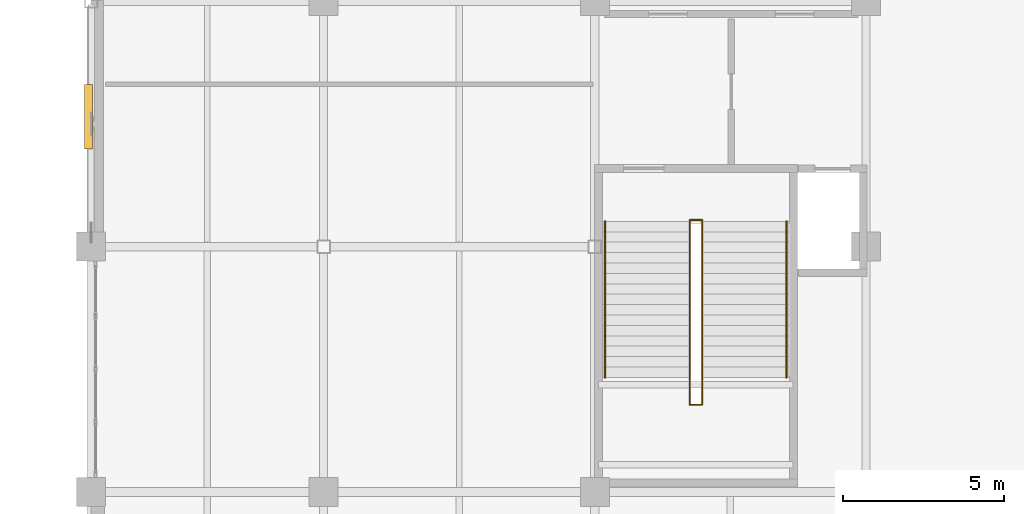
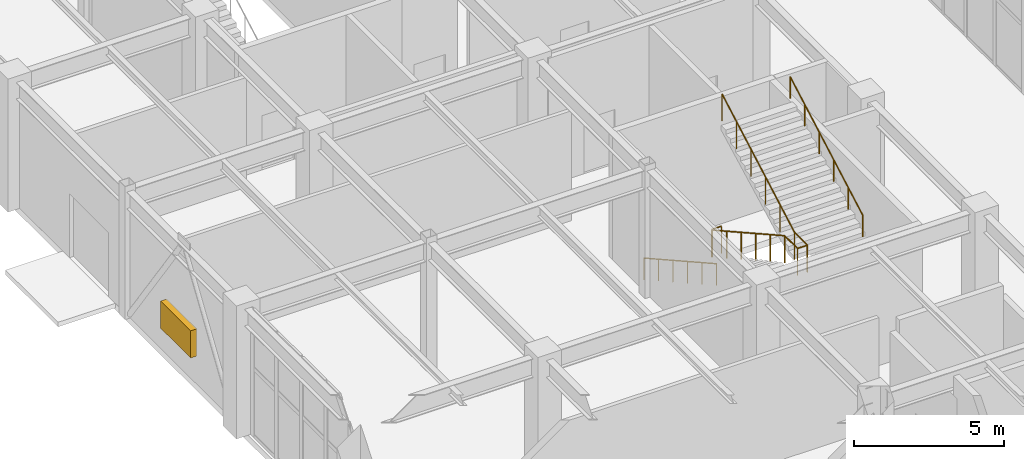
# One storey, part 135 of 139: 4 railings, 1 shading device.
"""IFC4 building model written with IfcOpenShell, lengths in metres."""

import ifcopenshell
import ifcopenshell.guid

model = None  # the IFC model being written
_history = None  # IfcOwnerHistory: only IFC2X3 demands one
_inside = {}  # id of a spatial element -> (the spatial element, [elements in it])
_under = {}  # id of a project, library or spatial element -> (it, [spatial elements below it])
_declared = {}  # id of a project -> (the project, [libraries it declares])
_typed = {}  # id of a type object -> (the type object, [elements of that type])
_made_of = {}  # id of a material, layer set ... -> (it, [elements and type objects made of it])


def new_model(schema):
    """Start an empty IFC model of exactly this schema.

    Asked for "IFC4X3", IfcOpenShell would pick the latest addendum, in which some entities
    have other attributes; the version numbers below select the first issue.
    IFC2X3 requires an IfcOwnerHistory on every rooted entity: one is made here for all.
    """
    global model, _history
    if schema == "IFC4X3":
        model = ifcopenshell.file(schema_version=(4, 3, 0, 0))
    else:
        model = ifcopenshell.file(schema=schema)
    _inside.clear()
    _under.clear()
    _declared.clear()
    _typed.clear()
    _made_of.clear()
    _history = None
    if model.schema == "IFC2X3":
        org = make("IfcOrganization", Name="unknown")
        user = make(
            "IfcPersonAndOrganization",
            ThePerson=make("IfcPerson", FamilyName="unknown"),
            TheOrganization=org,
        )
        app = make(
            "IfcApplication",
            ApplicationDeveloper=org,
            Version="unknown",
            ApplicationFullName="unknown",
            ApplicationIdentifier="unknown",
        )
        _history = make(
            "IfcOwnerHistory",
            OwningUser=user,
            OwningApplication=app,
            ChangeAction="ADDED",
            CreationDate=0,
        )
    return model


def make(cls, **values):
    """One entity of the class cls with the attributes given. An attribute that is None is left unset."""
    return model.create_entity(
        cls, **{name: value for name, value in values.items() if value is not None}
    )


def rooted(cls, **values):
    """An entity with a GlobalId (a new one), such as an element, a storey or a relation."""
    return make(cls, GlobalId=ifcopenshell.guid.new(), OwnerHistory=_history, **values)


def si_unit(unit_type, name, prefix=None):
    """IfcSIUnit, for example si_unit("LENGTHUNIT", "METRE", prefix="MILLI")."""
    return make("IfcSIUnit", UnitType=unit_type, Prefix=prefix, Name=name)


def assignment(units):
    """IfcUnitAssignment: the units of a project."""
    return None if units is None else make("IfcUnitAssignment", Units=units)


def point(xyz):
    """IfcCartesianPoint."""
    return None if xyz is None else make("IfcCartesianPoint", Coordinates=xyz)


def direction(xyz):
    """IfcDirection."""
    return None if xyz is None else make("IfcDirection", DirectionRatios=xyz)


def frame(location, z_axis=None, x_axis=None):
    """IfcAxis2Placement3D, a coordinate frame: its origin and axes. An axis left out is left unset."""
    return make(
        "IfcAxis2Placement3D",
        Location=point(location),
        Axis=direction(z_axis),
        RefDirection=direction(x_axis),
    )


def frame_2d(location, x_axis=None):
    """IfcAxis2Placement2D, a coordinate frame in the plane: its origin and x axis."""
    return make(
        "IfcAxis2Placement2D", Location=point(location), RefDirection=direction(x_axis)
    )


def origin():
    """The frame at (0, 0, 0) with its axes left unset."""
    return frame((0.0, 0.0, 0.0))


def origin_2d():
    """The frame at (0, 0) in the plane with its x axis left unset."""
    return frame_2d((0.0, 0.0))


def place(relative_to, where):
    """IfcLocalPlacement: puts the frame where relative to a parent placement (None: the world)."""
    return make(
        "IfcLocalPlacement", PlacementRelTo=relative_to, RelativePlacement=where
    )


def context(
    kind, dimensions, precision=None, world=None, true_north=None, identifier=None
):
    """IfcGeometricRepresentationContext, for example the 3D "Model" context."""
    return make(
        "IfcGeometricRepresentationContext",
        ContextIdentifier=identifier,
        ContextType=kind,
        CoordinateSpaceDimension=dimensions,
        Precision=precision,
        WorldCoordinateSystem=world,
        TrueNorth=true_north,
    )


def subcontext(parent, identifier, kind, view, scale=None):
    """IfcGeometricRepresentationSubContext, for example "Body" below "Model"."""
    return make(
        "IfcGeometricRepresentationSubContext",
        ContextIdentifier=identifier,
        ContextType=kind,
        ParentContext=parent,
        TargetScale=scale,
        TargetView=view,
    )


def project(units=None, contexts=None):
    """IfcProject with its units and contexts."""
    return rooted(
        "IfcProject",
        Name="project",
        RepresentationContexts=contexts,
        UnitsInContext=assignment(units),
    )


def spatial(cls, under=None, at=None, **own):
    """A site, building, storey or space (cls), placed at a placement, below another one or the project."""
    s = rooted(cls, ObjectPlacement=at, **own)
    if under is not None:
        _under.setdefault(under.id(), (under, []))[1].append(s)
    return s


def profile(cls, at=None, kind="AREA", **sizes):
    """A parametric profile (cls). Its sizes go by their IFC names, for example OverallWidth=200.0."""
    return make(cls, ProfileType=kind, Position=at, **sizes)


def rectangle(**sizes):
    """IfcRectangleProfileDef."""
    return profile("IfcRectangleProfileDef", **sizes)


def circle(**sizes):
    """IfcCircleProfileDef."""
    return profile("IfcCircleProfileDef", **sizes)


def extrude(swept, where, along, depth):
    """IfcExtrudedAreaSolid: the profile swept, set in the frame where, extruded along a direction by depth."""
    return make(
        "IfcExtrudedAreaSolid",
        SweptArea=swept,
        Position=where,
        ExtrudedDirection=direction(along),
        Depth=depth,
    )


def shape(context_of_items, identifier, shape_type, items):
    """IfcShapeRepresentation: the items that make up one representation, for example the "Body"."""
    return make(
        "IfcShapeRepresentation",
        ContextOfItems=context_of_items,
        RepresentationIdentifier=identifier,
        RepresentationType=shape_type,
        Items=items,
    )


def material(Name=None, Category=None):
    """IfcMaterial."""
    return make("IfcMaterial", Name=Name, Category=Category)


def made_of(thing, what):
    """Note that an element or type object is made of a material, layer set ...; save() writes the relation."""
    if what is not None:
        _made_of.setdefault(what.id(), (what, []))[1].append(thing)
    return thing


def type_object(cls, material=None, **own):
    """A type object (cls), such as IfcWallType, which elements share."""
    return made_of(rooted(cls, **own), material)


def element(
    cls,
    number,
    at=None,
    inside=None,
    cuts=None,
    type_object=None,
    material=None,
    context=None,
    identifier="Body",
    shape_type=None,
    held_by="IfcProductDefinitionShape",
    body=None,
    shapes=None,
    **own,
):
    """One element of the class cls, such as IfcWall. Its Tag is "e" and its number.

    at: its placement. inside: the storey or other place that contains it. cuts: it is an
    opening in that element (IfcRelVoidsElement). A single representation is given by context,
    identifier, shape_type and body (its items); several are given by shapes. held_by: the class
    of the entity that holds the representations. save() writes the other relations.
    """
    e = rooted(cls, Tag="e%d" % number, ObjectPlacement=at, **own)
    if body is not None:
        shapes = [shape(context, identifier, shape_type, body)]
    if shapes is not None:
        e.Representation = make(held_by, Representations=shapes)
    if inside is not None:
        _inside.setdefault(inside.id(), (inside, []))[1].append(e)
    if cuts is not None:
        rooted(
            "IfcRelVoidsElement", RelatingBuildingElement=cuts, RelatedOpeningElement=e
        )
    if type_object is not None:
        _typed.setdefault(type_object.id(), (type_object, []))[1].append(e)
    return made_of(e, material)


def aggregate(whole, parts):
    """IfcRelAggregates: a whole, such as a stair, and the parts it consists of."""
    return rooted("IfcRelAggregates", RelatingObject=whole, RelatedObjects=parts)


def save(model, path):
    """Write the relations noted so far, then the file.

    IfcRelAggregates (storeys below a building ...), IfcRelContainedInSpatialStructure (elements
    in a storey), IfcRelDefinesByType, IfcRelAssociatesMaterial and IfcRelDeclares: one each for
    every whole, place, type object, material and project.
    """
    for whole, parts in _under.values():
        aggregate(whole, parts)
    for where, things in _inside.values():
        rooted(
            "IfcRelContainedInSpatialStructure",
            RelatedElements=things,
            RelatingStructure=where,
        )
    for kind, things in _typed.values():
        rooted("IfcRelDefinesByType", RelatedObjects=things, RelatingType=kind)
    for what, things in _made_of.values():
        rooted("IfcRelAssociatesMaterial", RelatedObjects=things, RelatingMaterial=what)
    for by, libraries in _declared.values():
        rooted("IfcRelDeclares", RelatingContext=by, RelatedDefinitions=libraries)
    model.write(path)


model = new_model("IFC4")

# Units and contexts
model_context = context("Model", 3, precision=1e-05, world=origin(), true_north=direction((0.0, 1.0)))
body_context = subcontext(model_context, "Body", "Model", "MODEL_VIEW")
ifc_project = project(units=[si_unit("LENGTHUNIT", "METRE"), si_unit("AREAUNIT", "SQUARE_METRE"), si_unit("VOLUMEUNIT", "CUBIC_METRE"), si_unit("PLANEANGLEUNIT", "RADIAN"), si_unit("MASSUNIT", "GRAM", prefix="KILO")], contexts=[model_context])

# Site, building, storey
site_placement = place(None, origin())
site = spatial("IfcSite", under=ifc_project, at=site_placement, CompositionType="ELEMENT")
building_placement = place(site_placement, origin())
building = spatial("IfcBuilding", under=site, at=building_placement, Name="Xicomal Pleat Aquarium", CompositionType="ELEMENT")
storey_placement = place(building_placement, origin())
storey = spatial("IfcBuildingStorey", under=building, at=storey_placement, Name="L01", CompositionType="ELEMENT", Elevation=0.0)

# Railings
ifc_material_1 = material(Name="Brushed stainless steel 316L", Category="steel")
railing_type_1 = type_object("IfcRailingType", Name="RAL-HR-900", PredefinedType="HANDRAIL", material=ifc_material_1)
railing_1_placement = place(storey_placement, frame((18.919921875, 53.97998046875, 0.0)))
element("IfcRailing", 1, at=railing_1_placement, inside=storey, type_object=railing_type_1, Name="ST-04-L01 flight 1 handrail", PredefinedType="HANDRAIL", context=body_context, shape_type="SweptSolid", body=[
    extrude(circle(Radius=0.02392578125, at=origin_2d()), frame((0.0, 0.0, 0.8759765625), z_axis=(0.0, -0.872882689512, 0.487930128554), x_axis=(1.0, 0.0, 0.0)), (0.0, 0.0, 1.0), 5.533447265625),
    extrude(circle(Radius=0.02099609375, at=origin_2d()), origin(), (0.0, 0.0, 1.0), 0.851806640625),
    extrude(circle(Radius=0.02099609375, at=origin_2d()), frame((0.0, -0.966064453125, 0.5400390625)), (0.0, 0.0, 1.0), 0.851806640625),
    extrude(circle(Radius=0.02099609375, at=origin_2d()), frame((0.0, -1.93212890625, 1.080078125)), (0.0, 0.0, 1.0), 0.851806640625),
    extrude(circle(Radius=0.02099609375, at=origin_2d()), frame((0.0, -2.89794921875, 1.619873046875)), (0.0, 0.0, 1.0), 0.851806640625),
    extrude(circle(Radius=0.02099609375, at=origin_2d()), frame((0.0, -3.864013671875, 2.159912109375)), (0.0, 0.0, 1.0), 0.851806640625),
    extrude(circle(Radius=0.02099609375, at=origin_2d()), frame((0.0, -4.830078125, 2.699951171875)), (0.0, 0.0, 1.0), 0.851806640625),
])
railing_2_placement = place(storey_placement, frame((24.5400390625, 49.14990234375, 2.699951171875)))
element("IfcRailing", 2, at=railing_2_placement, inside=storey, type_object=railing_type_1, Name="ST-04-L01 flight 2 handrail", PredefinedType="HANDRAIL", context=body_context, shape_type="SweptSolid", body=[
    extrude(circle(Radius=0.02392578125, at=origin_2d()), frame((0.0, 0.0, 0.8759765625), z_axis=(0.0, 0.872882689512, 0.487930128554), x_axis=(-1.0, 0.0, 0.0)), (0.0, 0.0, 1.0), 5.533447265625),
    extrude(circle(Radius=0.02099609375, at=origin_2d()), origin(), (0.0, 0.0, 1.0), 0.851806640625),
    extrude(circle(Radius=0.02099609375, at=origin_2d()), frame((0.0, 0.966064453125, 0.5400390625)), (0.0, 0.0, 1.0), 0.851806640625),
    extrude(circle(Radius=0.02099609375, at=origin_2d()), frame((0.0, 1.93212890625, 1.080078125)), (0.0, 0.0, 1.0), 0.851806640625),
    extrude(circle(Radius=0.02099609375, at=origin_2d()), frame((0.0, 2.89794921875, 1.619873046875)), (0.0, 0.0, 1.0), 0.851806640625),
    extrude(circle(Radius=0.02099609375, at=origin_2d()), frame((0.0, 3.864013671875, 2.159912109375)), (0.0, 0.0, 1.0), 0.851806640625),
    extrude(circle(Radius=0.02099609375, at=origin_2d()), frame((0.0, 4.830078125, 2.699951171875)), (0.0, 0.0, 1.0), 0.851806640625),
])
ifc_material_2 = material(Name="Brushed stainless steel 316L", Category="steel")
railing_type_2 = type_object("IfcRailingType", Name="RAL-STG-1120", PredefinedType="GUARDRAIL", material=ifc_material_2)
railing_3_placement = place(storey_placement, frame((21.5400390625, 53.97998046875, 0.0)))
element("IfcRailing", 3, at=railing_3_placement, inside=storey, type_object=railing_type_2, Name="ST-04-L01 inner well guard", PredefinedType="GUARDRAIL", context=body_context, shape_type="SweptSolid", body=[
    extrude(circle(Radius=0.02392578125, at=origin_2d()), frame((0.0, 0.0, 1.09619140625), z_axis=(0.0, -0.872882689512, 0.487930128554), x_axis=(1.0, 0.0, 0.0)), (0.0, 0.0, 1.0), 5.533447265625),
    extrude(circle(Radius=0.02392578125, at=origin_2d()), frame((0.0, -4.830078125, 3.7958984375), z_axis=(0.0, -1.0, 0.0), x_axis=(1.0, 0.0, 0.0)), (0.0, 0.0, 1.0), 0.849853515625),
    extrude(circle(Radius=0.02392578125, at=origin_2d()), frame((0.0, -5.679931640625, 3.7958984375), z_axis=(1.0, 0.0, 0.0), x_axis=(0.0, 1.0, 0.0)), (0.0, 0.0, 1.0), 0.3798828125),
    extrude(circle(Radius=0.02392578125, at=origin_2d()), frame((0.3798828125, -5.679931640625, 3.7958984375), z_axis=(0.0, 1.0, 0.0), x_axis=(-1.0, 0.0, 0.0)), (0.0, 0.0, 1.0), 0.849853515625),
    extrude(circle(Radius=0.02392578125, at=origin_2d()), frame((0.3798828125, -4.830078125, 3.7958984375), z_axis=(0.0, 0.872882689512, 0.487930128554), x_axis=(-1.0, 0.0, 0.0)), (0.0, 0.0, 1.0), 5.533447265625),
    extrude(circle(Radius=0.02099609375, at=origin_2d()), origin(), (0.0, 0.0, 1.0), 1.072021484375),
    extrude(circle(Radius=0.02099609375, at=origin_2d()), frame((0.0, -0.966064453125, 0.5400390625)), (0.0, 0.0, 1.0), 1.072021484375),
    extrude(circle(Radius=0.02099609375, at=origin_2d()), frame((0.0, -1.93212890625, 1.080078125)), (0.0, 0.0, 1.0), 1.072021484375),
    extrude(circle(Radius=0.02099609375, at=origin_2d()), frame((0.0, -2.89794921875, 1.619873046875)), (0.0, 0.0, 1.0), 1.072021484375),
    extrude(circle(Radius=0.02099609375, at=origin_2d()), frame((0.0, -3.864013671875, 2.159912109375)), (0.0, 0.0, 1.0), 1.072021484375),
    extrude(circle(Radius=0.02099609375, at=origin_2d()), frame((0.0, -4.830078125, 2.699951171875)), (0.0, 0.0, 1.0), 1.072021484375),
    extrude(circle(Radius=0.02099609375, at=origin_2d()), frame((0.0, -5.679931640625, 2.699951171875)), (0.0, 0.0, 1.0), 1.072021484375),
    extrude(circle(Radius=0.02099609375, at=origin_2d()), frame((0.3798828125, -5.679931640625, 2.699951171875)), (0.0, 0.0, 1.0), 1.072021484375),
    extrude(circle(Radius=0.02099609375, at=origin_2d()), frame((0.3798828125, -4.830078125, 2.699951171875)), (0.0, 0.0, 1.0), 1.072021484375),
    extrude(circle(Radius=0.02099609375, at=origin_2d()), frame((0.3798828125, -3.864013671875, 3.239990234375)), (0.0, 0.0, 1.0), 1.072021484375),
    extrude(circle(Radius=0.02099609375, at=origin_2d()), frame((0.3798828125, -2.89794921875, 3.780029296875)), (0.0, 0.0, 1.0), 1.072021484375),
    extrude(circle(Radius=0.02099609375, at=origin_2d()), frame((0.3798828125, -1.93212890625, 4.31982421875)), (0.0, 0.0, 1.0), 1.072021484375),
    extrude(circle(Radius=0.02099609375, at=origin_2d()), frame((0.3798828125, -0.966064453125, 4.85986328125)), (0.0, 0.0, 1.0), 1.072021484375),
    extrude(circle(Radius=0.02099609375, at=origin_2d()), frame((0.3798828125, 0.0, 5.39990234375)), (0.0, 0.0, 1.0), 1.072021484375),
])
railing_4_placement = place(storey_placement, frame((21.5400390625, 54.02001953125, 0.0)))
element("IfcRailing", 4, at=railing_4_placement, inside=storey, type_object=railing_type_2, Name="ST-04-L01 floor landing slot guard", PredefinedType="GUARDRAIL", context=body_context, shape_type="SweptSolid", body=[
    extrude(circle(Radius=0.02392578125, at=origin_2d()), frame((0.0, 0.0, 1.09619140625), z_axis=(1.0, 0.0, 0.0), x_axis=(0.0, 1.0, 0.0)), (0.0, 0.0, 1.0), 0.3798828125),
    extrude(circle(Radius=0.02099609375, at=origin_2d()), origin(), (0.0, 0.0, 1.0), 1.072021484375),
    extrude(circle(Radius=0.02099609375, at=origin_2d()), frame((0.3798828125, 0.0, 0.0)), (0.0, 0.0, 1.0), 1.072021484375),
])

# Shading device
ifc_material_3 = material(Name="Perforated bronze anodized aluminium", Category="aluminium")
shading_device_type = type_object("IfcShadingDeviceType", Name="SHD-LOUV-ALU", PredefinedType="JALOUSIE", material=ifc_material_3)
shading_device_placement = place(storey_placement, frame((2.919921875, 57.22705078125, 1.099853515625), z_axis=(0.0, 0.0, 1.0), x_axis=(0.0, 1.0, 0.0)))
element("IfcShadingDevice", 5, at=shading_device_placement, inside=storey, type_object=shading_device_type, Name="L01 LSS acoustic weather louvre 11", PredefinedType="JALOUSIE", context=body_context, shape_type="SweptSolid", body=[
    extrude(rectangle(XDim=2.0, YDim=0.239990234375, at=origin_2d()), origin(), (0.0, 0.0, 1.0), 1.10009765625),
])

save(model, "model.ifc")
